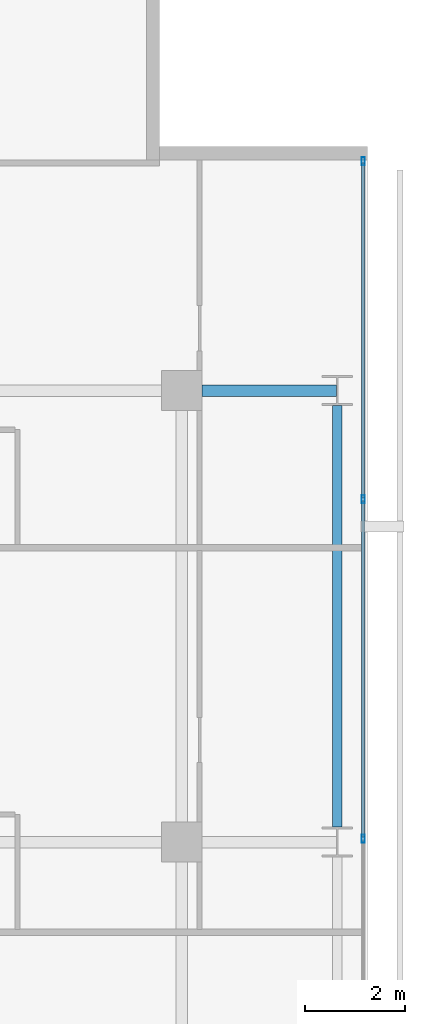
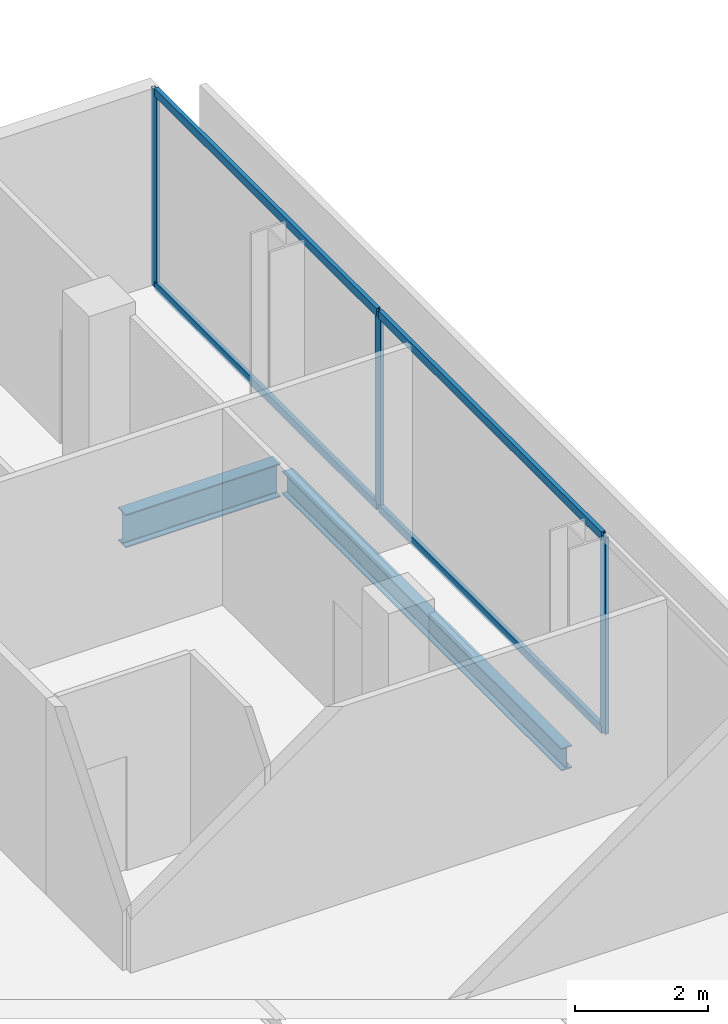
# One storey, part 24 of 33: 7 members, 2 beams, 1 element without a shape of its own.
"""IFC4 building model written with IfcOpenShell, lengths in metres."""

from ifc_helpers import new_model, si_unit, direction, frame, origin, origin_2d, place, context, subcontext, project, spatial, hollow_rectangle, i_section, extrude, material, layer, layer_set, material_profile, profile_set, type_object, element, aggregate, save


model = new_model("IFC4")

# Units and contexts
model_context = context("Model", 3, precision=1e-05, world=origin(), true_north=direction((0.0, 1.0)))
body_context = subcontext(model_context, "Body", "Model", "MODEL_VIEW")
ifc_project = project(units=[si_unit("LENGTHUNIT", "METRE"), si_unit("AREAUNIT", "SQUARE_METRE"), si_unit("VOLUMEUNIT", "CUBIC_METRE"), si_unit("PLANEANGLEUNIT", "RADIAN"), si_unit("MASSUNIT", "GRAM", prefix="KILO")], contexts=[model_context])

# Site, building, storey
site_placement = place(None, origin())
site = spatial("IfcSite", under=ifc_project, at=site_placement, CompositionType="ELEMENT")
building_placement = place(site_placement, origin())
building = spatial("IfcBuilding", under=site, at=building_placement, Name="Maruvema Waterfront Hotel and Observation Tower", CompositionType="ELEMENT")
storey_placement = place(building_placement, frame((0.0, 0.0, 138.949951171875)))
storey = spatial("IfcBuildingStorey", under=building, at=storey_placement, Name="L33", CompositionType="ELEMENT", Elevation=138.949951171875)

# Curtain wall, members
ifc_material_1 = material(Name="Anodised bronze aluminium and solar-control low-E IGU", Category="aluminium")
ifc_layer = layer(ifc_material_1, 0.159912109375, Name="Zone 2 Amber Inner Thermal Curtain Wall System CW-03")
ifc_layer_set = layer_set([ifc_layer], Name="Anodised bronze aluminium and solar-control low-E IGU")
curtain_wall_type = type_object("IfcCurtainWallType", Name="Zone 2 Amber Inner Thermal Curtain Wall System CW-03", PredefinedType="USERDEFINED", material=ifc_layer_set)
curtain_wall_placement = place(storey_placement, origin())
curtain_wall = element("IfcCurtainWall", 1, at=curtain_wall_placement, inside=storey, type_object=curtain_wall_type, Name="L33 Curtain Wall CW-L33-E", ObjectType="UNITISED CURTAIN WALL", PredefinedType="USERDEFINED")
ifc_material_2 = material(Name="Anodised architectural bronze aluminium", Category="aluminium")
ifc_material_profile_1 = material_profile(ifc_material_2, hollow_rectangle(XDim=0.070068359375, YDim=0.14990234375, WallThickness=0.00390625, at=origin_2d()), Name="ALU-T70x150")
ifc_profile_set_1 = profile_set([ifc_material_profile_1], Name="Anodised architectural bronze aluminium")
member_type_1 = type_object("IfcMemberType", Name="Curtain Wall Horizontal Transom ALU-T70x150", PredefinedType="USERDEFINED", material=ifc_profile_set_1)
member_1_placement = place(storey_placement, frame((62.419921875, 36.0966796875, 0.030029296875), z_axis=(0.0, 1.0, 0.0), x_axis=(-1.0, 0.0, 0.0)))
member_1 = element("IfcMember", 2, at=member_1_placement, type_object=member_type_1, Name="CW-03 transom 5.1", ObjectType="TRANSOM", PredefinedType="USERDEFINED", context=body_context, shape_type="SweptSolid", body=[
    extrude(hollow_rectangle(XDim=0.070068359375, YDim=0.14990234375, WallThickness=0.00390625, at=origin_2d()), origin(), (0.0, 0.0, 1.0), 6.70654296875),
])
member_2_placement = place(storey_placement, frame((62.419921875, 36.0966796875, 3.580078125), z_axis=(0.0, 1.0, 0.0), x_axis=(-1.0, 0.0, 0.0)))
member_2 = element("IfcMember", 3, at=member_2_placement, type_object=member_type_1, Name="CW-03 transom 5.2", ObjectType="TRANSOM", PredefinedType="USERDEFINED", context=body_context, shape_type="SweptSolid", body=[
    extrude(hollow_rectangle(XDim=0.070068359375, YDim=0.14990234375, WallThickness=0.00390625, at=origin_2d()), origin(), (0.0, 0.0, 1.0), 6.70654296875),
])
member_3_placement = place(storey_placement, frame((62.419921875, 42.86328125, 0.030029296875), z_axis=(0.0, 1.0, 0.0), x_axis=(-1.0, 0.0, 0.0)))
member_3 = element("IfcMember", 4, at=member_3_placement, type_object=member_type_1, Name="CW-03 transom 6.1", ObjectType="TRANSOM", PredefinedType="USERDEFINED", context=body_context, shape_type="SweptSolid", body=[
    extrude(hollow_rectangle(XDim=0.070068359375, YDim=0.14990234375, WallThickness=0.00390625, at=origin_2d()), origin(), (0.0, 0.0, 1.0), 6.6767578125),
])
member_4_placement = place(storey_placement, frame((62.419921875, 42.86328125, 3.580078125), z_axis=(0.0, 1.0, 0.0), x_axis=(-1.0, 0.0, 0.0)))
member_4 = element("IfcMember", 5, at=member_4_placement, type_object=member_type_1, Name="CW-03 transom 6.2", ObjectType="TRANSOM", PredefinedType="USERDEFINED", context=body_context, shape_type="SweptSolid", body=[
    extrude(hollow_rectangle(XDim=0.070068359375, YDim=0.14990234375, WallThickness=0.00390625, at=origin_2d()), origin(), (0.0, 0.0, 1.0), 6.6767578125),
])
ifc_material_3 = material(Name="Anodised architectural bronze aluminium", Category="aluminium")
ifc_material_profile_2 = material_profile(ifc_material_3, hollow_rectangle(XDim=0.06494140625, YDim=0.1650390625, WallThickness=0.00390625, at=origin_2d()), Name="ALU-M65x165")
ifc_profile_set_2 = profile_set([ifc_material_profile_2], Name="Anodised architectural bronze aluminium")
member_type_2 = type_object("IfcMemberType", Name="Curtain Wall Primary Mullion ALU-M65x165", PredefinedType="MULLION", material=ifc_profile_set_2)
member_5_placement = place(storey_placement, frame((62.419921875, 36.066650390625, 0.0), z_axis=(0.0, 0.0, 1.0), x_axis=(-1.0, 0.0, 0.0)))
member_5 = element("IfcMember", 6, at=member_5_placement, type_object=member_type_2, Name="CW-03 mullion 5", PredefinedType="MULLION", context=body_context, shape_type="SweptSolid", body=[
    extrude(hollow_rectangle(XDim=0.06494140625, YDim=0.1650390625, WallThickness=0.00390625, at=origin_2d()), origin(), (0.0, 0.0, 1.0), 3.610107421875),
])
member_6_placement = place(storey_placement, frame((62.419921875, 42.833251953125, 0.0), z_axis=(0.0, 0.0, 1.0), x_axis=(-1.0, 0.0, 0.0)))
member_6 = element("IfcMember", 7, at=member_6_placement, type_object=member_type_2, Name="CW-03 mullion 6", PredefinedType="MULLION", context=body_context, shape_type="SweptSolid", body=[
    extrude(hollow_rectangle(XDim=0.06494140625, YDim=0.1650390625, WallThickness=0.00390625, at=origin_2d()), origin(), (0.0, 0.0, 1.0), 3.610107421875),
])
member_7_placement = place(storey_placement, frame((62.419921875, 49.570068359375, 0.0), z_axis=(0.0, 0.0, 1.0), x_axis=(-1.0, 0.0, 0.0)))
member_7 = element("IfcMember", 8, at=member_7_placement, type_object=member_type_2, Name="CW-03 mullion 7", PredefinedType="MULLION", context=body_context, shape_type="SweptSolid", body=[
    extrude(hollow_rectangle(XDim=0.06494140625, YDim=0.1650390625, WallThickness=0.00390625, at=origin_2d()), origin(), (0.0, 0.0, 1.0), 3.610107421875),
])
aggregate(curtain_wall, [member_5, member_6, member_7, member_1, member_2, member_3, member_4])

# Beams
ifc_material_4 = material(Name="Steel ASTM A572 Grade 50", Category="steel")
ifc_material_profile_3 = material_profile(ifc_material_4, i_section(OverallWidth=0.180908203125, OverallDepth=0.4169921875, WebThickness=0.010986328125, FlangeThickness=0.018310546875, FilletRadius=0.014892578125, at=origin_2d()), Name="W410x85.0")
ifc_profile_set_3 = profile_set([ifc_material_profile_3], Name="Steel ASTM A572 Grade 50")
beam_type_1 = type_object("IfcBeamType", Name="Perimeter Spandrel Beam W410x85.0", PredefinedType="SPANDREL", material=ifc_profile_set_3)
beam_1_placement = place(storey_placement, frame((61.89990234375, 36.300048828125, -0.448486328125), z_axis=(0.0, 1.0, 0.0), x_axis=(-1.0, 0.0, 0.0)))
element("IfcBeam", 9, at=beam_1_placement, inside=storey, type_object=beam_type_1, Name="L33 Floor Girder NS-32", PredefinedType="SPANDREL", context=body_context, shape_type="SweptSolid", body=[
    extrude(i_section(OverallWidth=0.180908203125, OverallDepth=0.4169921875, WebThickness=0.010986328125, FlangeThickness=0.018310546875, FilletRadius=0.014892578125, at=origin_2d()), origin(), (0.0, 0.0, 1.0), 8.39990234375),
])
ifc_material_5 = material(Name="Steel ASTM A572 Grade 50", Category="steel")
ifc_material_profile_4 = material_profile(ifc_material_5, i_section(OverallWidth=0.22900390625, OverallDepth=0.612060546875, WebThickness=0.011962890625, FlangeThickness=0.01953125, FilletRadius=0.01806640625, at=origin_2d()), Name="W610x125.0")
ifc_profile_set_4 = profile_set([ifc_material_profile_4], Name="Steel ASTM A572 Grade 50")
beam_type_2 = type_object("IfcBeamType", Name="Primary Floor Girder W610x125.0", PredefinedType="BEAM", material=ifc_profile_set_4)
beam_2_placement = place(storey_placement, frame((59.199951171875, 45.0, -0.5458984375), z_axis=(1.0, 0.0, 0.0), x_axis=(0.0, 1.0, 0.0)))
element("IfcBeam", 10, at=beam_2_placement, inside=storey, type_object=beam_type_2, Name="L33 Floor Girder EW-33", PredefinedType="BEAM", context=body_context, shape_type="SweptSolid", body=[
    extrude(i_section(OverallWidth=0.22900390625, OverallDepth=0.612060546875, WebThickness=0.011962890625, FlangeThickness=0.01953125, FilletRadius=0.01806640625, at=origin_2d()), origin(), (0.0, 0.0, 1.0), 2.6875),
])

save(model, "model.ifc")
